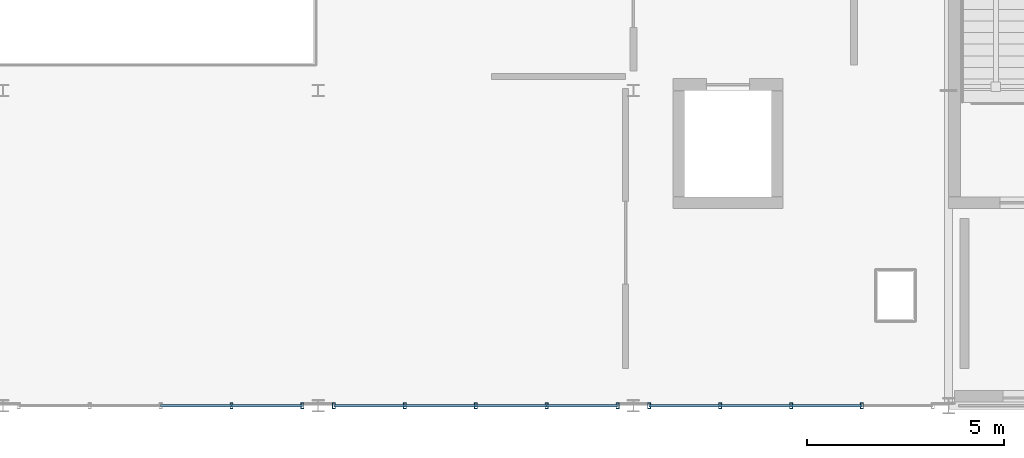
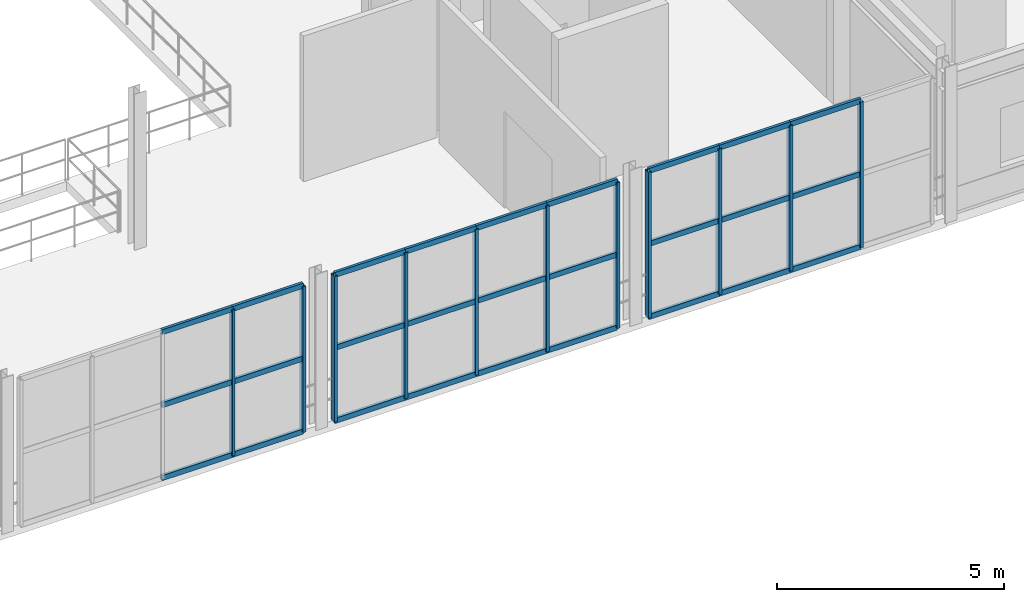
# One storey, part 15 of 67: 38 members, 3 elements without a shape of their own.
"""IFC4 building model written with IfcOpenShell, lengths in metres."""

from ifc_helpers import new_model, si_unit, direction, frame, origin, origin_2d, place, context, subcontext, project, spatial, hollow_rectangle, extrude, material, material_profile, profile_set, type_object, element, aggregate, save


model = new_model("IFC4")

# Units and contexts
model_context = context("Model", 3, precision=1e-05, world=origin(), true_north=direction((0.0, 1.0)))
body_context = subcontext(model_context, "Body", "Model", "MODEL_VIEW")
ifc_project = project(units=[si_unit("LENGTHUNIT", "METRE"), si_unit("AREAUNIT", "SQUARE_METRE"), si_unit("VOLUMEUNIT", "CUBIC_METRE"), si_unit("PLANEANGLEUNIT", "RADIAN"), si_unit("MASSUNIT", "GRAM", prefix="KILO")], contexts=[model_context])

# Site, building, storey
site_placement = place(None, origin())
site = spatial("IfcSite", under=ifc_project, at=site_placement, CompositionType="ELEMENT")
building_placement = place(site_placement, origin())
building = spatial("IfcBuilding", under=site, at=building_placement, Name="Sundkrona Museum", CompositionType="ELEMENT")
storey_placement = place(building_placement, frame((0.0, 0.0, 21.800048828125)))
storey = spatial("IfcBuildingStorey", under=building, at=storey_placement, Name="L04", CompositionType="ELEMENT", Elevation=21.800048828125)

# Curtain wall, members
ifc_material_1 = material(Name="Unitised Aluminium-Steel and Ceramic-Clad Curtain Walling", Category="steel")
curtain_wall_type = type_object("IfcCurtainWallType", Name="CW-AT-72x38", PredefinedType="NOTDEFINED", material=ifc_material_1)
curtain_wall_1_placement = place(storey_placement, origin())
curtain_wall_1 = element("IfcCurtainWall", 1, at=curtain_wall_1_placement, inside=storey, type_object=curtain_wall_type, Name="L04 Curtain Wall CW-L04-079", PredefinedType="NOTDEFINED")
ifc_material_2 = material(Name="Aluminium EN AW-6060 T66", Category="aluminium")
ifc_material_profile_1 = material_profile(ifc_material_2, hollow_rectangle(XDim=0.074951171875, YDim=0.14990234375, WallThickness=0.00634765625, at=origin_2d()), Name="RHS 150x75x6.3")
ifc_profile_set_1 = profile_set([ifc_material_profile_1], Name="Aluminium EN AW-6060 T66")
member_type_1 = type_object("IfcMemberType", Name="ML-150", PredefinedType="MULLION", material=ifc_profile_set_1)
member_1_placement = place(storey_placement, frame((101.800048828125, 0.0, -0.004150390625), z_axis=(0.0, 0.0, 1.0), x_axis=(1.0, 0.0, 0.0)))
member_1 = element("IfcMember", 2, at=member_1_placement, type_object=member_type_1, Name="CW-L04-079 Mullion 04", PredefinedType="MULLION", context=body_context, shape_type="SweptSolid", body=[
    extrude(hollow_rectangle(XDim=0.074951171875, YDim=0.14990234375, WallThickness=0.00634765625, at=origin_2d()), origin(), (0.0, 0.0, 1.0), 3.92822265625),
])
member_2_placement = place(storey_placement, frame((103.60009765625, 0.0, -0.004150390625), z_axis=(0.0, 0.0, 1.0), x_axis=(1.0, 0.0, 0.0)))
member_2 = element("IfcMember", 3, at=member_2_placement, type_object=member_type_1, Name="CW-L04-079 Mullion 05", PredefinedType="MULLION", context=body_context, shape_type="SweptSolid", body=[
    extrude(hollow_rectangle(XDim=0.074951171875, YDim=0.14990234375, WallThickness=0.00634765625, at=origin_2d()), origin(), (0.0, 0.0, 1.0), 3.92822265625),
])

curtain_wall_2_placement = place(storey_placement, origin())
curtain_wall_2 = element("IfcCurtainWall", 4, at=curtain_wall_2_placement, inside=storey, type_object=curtain_wall_type, Name="L04 Curtain Wall CW-L04-080", PredefinedType="NOTDEFINED")
member_3_placement = place(storey_placement, frame((104.39990234375, 0.0, -0.004150390625), z_axis=(0.0, 0.0, 1.0), x_axis=(1.0, 0.0, 0.0)))
member_3 = element("IfcMember", 5, at=member_3_placement, type_object=member_type_1, Name="CW-L04-080 Mullion 01", PredefinedType="MULLION", context=body_context, shape_type="SweptSolid", body=[
    extrude(hollow_rectangle(XDim=0.074951171875, YDim=0.14990234375, WallThickness=0.00634765625, at=origin_2d()), origin(), (0.0, 0.0, 1.0), 3.92822265625),
])
member_4_placement = place(storey_placement, frame((106.199951171875, 0.0, -0.004150390625), z_axis=(0.0, 0.0, 1.0), x_axis=(1.0, 0.0, 0.0)))
member_4 = element("IfcMember", 6, at=member_4_placement, type_object=member_type_1, Name="CW-L04-080 Mullion 02", PredefinedType="MULLION", context=body_context, shape_type="SweptSolid", body=[
    extrude(hollow_rectangle(XDim=0.074951171875, YDim=0.14990234375, WallThickness=0.00634765625, at=origin_2d()), origin(), (0.0, 0.0, 1.0), 3.92822265625),
])
member_5_placement = place(storey_placement, frame((108.0, 0.0, -0.004150390625), z_axis=(0.0, 0.0, 1.0), x_axis=(1.0, 0.0, 0.0)))
member_5 = element("IfcMember", 7, at=member_5_placement, type_object=member_type_1, Name="CW-L04-080 Mullion 03", PredefinedType="MULLION", context=body_context, shape_type="SweptSolid", body=[
    extrude(hollow_rectangle(XDim=0.074951171875, YDim=0.14990234375, WallThickness=0.00634765625, at=origin_2d()), origin(), (0.0, 0.0, 1.0), 3.92822265625),
])
member_6_placement = place(storey_placement, frame((109.800048828125, 0.0, -0.004150390625), z_axis=(0.0, 0.0, 1.0), x_axis=(1.0, 0.0, 0.0)))
member_6 = element("IfcMember", 8, at=member_6_placement, type_object=member_type_1, Name="CW-L04-080 Mullion 04", PredefinedType="MULLION", context=body_context, shape_type="SweptSolid", body=[
    extrude(hollow_rectangle(XDim=0.074951171875, YDim=0.14990234375, WallThickness=0.00634765625, at=origin_2d()), origin(), (0.0, 0.0, 1.0), 3.92822265625),
])
member_7_placement = place(storey_placement, frame((111.60009765625, 0.0, -0.004150390625), z_axis=(0.0, 0.0, 1.0), x_axis=(1.0, 0.0, 0.0)))
member_7 = element("IfcMember", 9, at=member_7_placement, type_object=member_type_1, Name="CW-L04-080 Mullion 05", PredefinedType="MULLION", context=body_context, shape_type="SweptSolid", body=[
    extrude(hollow_rectangle(XDim=0.074951171875, YDim=0.14990234375, WallThickness=0.00634765625, at=origin_2d()), origin(), (0.0, 0.0, 1.0), 3.92822265625),
])

curtain_wall_3_placement = place(storey_placement, origin())
curtain_wall_3 = element("IfcCurtainWall", 10, at=curtain_wall_3_placement, inside=storey, type_object=curtain_wall_type, Name="L04 Curtain Wall CW-L04-081", PredefinedType="NOTDEFINED")
member_8_placement = place(storey_placement, frame((112.39990234375, 0.0, -0.004150390625), z_axis=(0.0, 0.0, 1.0), x_axis=(1.0, 0.0, 0.0)))
member_8 = element("IfcMember", 11, at=member_8_placement, type_object=member_type_1, Name="CW-L04-081 Mullion 01", PredefinedType="MULLION", context=body_context, shape_type="SweptSolid", body=[
    extrude(hollow_rectangle(XDim=0.074951171875, YDim=0.14990234375, WallThickness=0.00634765625, at=origin_2d()), origin(), (0.0, 0.0, 1.0), 3.92822265625),
])
member_9_placement = place(storey_placement, frame((114.199951171875, 0.0, -0.004150390625), z_axis=(0.0, 0.0, 1.0), x_axis=(1.0, 0.0, 0.0)))
member_9 = element("IfcMember", 12, at=member_9_placement, type_object=member_type_1, Name="CW-L04-081 Mullion 02", PredefinedType="MULLION", context=body_context, shape_type="SweptSolid", body=[
    extrude(hollow_rectangle(XDim=0.074951171875, YDim=0.14990234375, WallThickness=0.00634765625, at=origin_2d()), origin(), (0.0, 0.0, 1.0), 3.92822265625),
])
member_10_placement = place(storey_placement, frame((116.0, 0.0, -0.004150390625), z_axis=(0.0, 0.0, 1.0), x_axis=(1.0, 0.0, 0.0)))
member_10 = element("IfcMember", 13, at=member_10_placement, type_object=member_type_1, Name="CW-L04-081 Mullion 03", PredefinedType="MULLION", context=body_context, shape_type="SweptSolid", body=[
    extrude(hollow_rectangle(XDim=0.074951171875, YDim=0.14990234375, WallThickness=0.00634765625, at=origin_2d()), origin(), (0.0, 0.0, 1.0), 3.92822265625),
])
member_11_placement = place(storey_placement, frame((117.800048828125, 0.0, -0.004150390625), z_axis=(0.0, 0.0, 1.0), x_axis=(1.0, 0.0, 0.0)))
member_11 = element("IfcMember", 14, at=member_11_placement, type_object=member_type_1, Name="CW-L04-081 Mullion 04", PredefinedType="MULLION", context=body_context, shape_type="SweptSolid", body=[
    extrude(hollow_rectangle(XDim=0.074951171875, YDim=0.14990234375, WallThickness=0.00634765625, at=origin_2d()), origin(), (0.0, 0.0, 1.0), 3.92822265625),
])

# Member
ifc_material_profile_2 = material_profile(ifc_material_2, hollow_rectangle(XDim=0.070068359375, YDim=0.139892578125, WallThickness=0.0048828125, at=origin_2d()), Name="RHS 140x70x5.0")
ifc_profile_set_2 = profile_set([ifc_material_profile_2], Name="Aluminium EN AW-6060 T66")
member_type_2 = type_object("IfcMemberType", Name="TR-140", PredefinedType="USERDEFINED", material=ifc_profile_set_2)
member_12_placement = place(storey_placement, frame((100.0, 0.0, -0.004150390625), z_axis=(1.0, 0.0, 0.0), x_axis=(0.0, 1.0, 0.0)))
member_12 = element("IfcMember", 15, at=member_12_placement, type_object=member_type_2, Name="CW-L04-079 Transom 07", ObjectType="TRANSOM", PredefinedType="USERDEFINED", context=body_context, shape_type="SweptSolid", body=[
    extrude(hollow_rectangle(XDim=0.070068359375, YDim=0.139892578125, WallThickness=0.0048828125, at=origin_2d()), origin(), (0.0, 0.0, 1.0), 1.800048828125),
])

member_13_placement = place(storey_placement, frame((100.0, 0.0, 1.9599609375), z_axis=(1.0, 0.0, 0.0), x_axis=(0.0, 1.0, 0.0)))
member_13 = element("IfcMember", 16, at=member_13_placement, type_object=member_type_2, Name="CW-L04-079 Transom 08", ObjectType="TRANSOM", PredefinedType="USERDEFINED", context=body_context, shape_type="SweptSolid", body=[
    extrude(hollow_rectangle(XDim=0.070068359375, YDim=0.139892578125, WallThickness=0.0048828125, at=origin_2d()), origin(), (0.0, 0.0, 1.0), 1.800048828125),
])

member_14_placement = place(storey_placement, frame((100.0, 0.0, 3.924072265625), z_axis=(1.0, 0.0, 0.0), x_axis=(0.0, 1.0, 0.0)))
member_14 = element("IfcMember", 17, at=member_14_placement, type_object=member_type_2, Name="CW-L04-079 Transom 09", ObjectType="TRANSOM", PredefinedType="USERDEFINED", context=body_context, shape_type="SweptSolid", body=[
    extrude(hollow_rectangle(XDim=0.070068359375, YDim=0.139892578125, WallThickness=0.0048828125, at=origin_2d()), origin(), (0.0, 0.0, 1.0), 1.800048828125),
])

member_15_placement = place(storey_placement, frame((101.800048828125, 0.0, -0.004150390625), z_axis=(1.0, 0.0, 0.0), x_axis=(0.0, 1.0, 0.0)))
member_15 = element("IfcMember", 18, at=member_15_placement, type_object=member_type_2, Name="CW-L04-079 Transom 10", ObjectType="TRANSOM", PredefinedType="USERDEFINED", context=body_context, shape_type="SweptSolid", body=[
    extrude(hollow_rectangle(XDim=0.070068359375, YDim=0.139892578125, WallThickness=0.0048828125, at=origin_2d()), origin(), (0.0, 0.0, 1.0), 1.800048828125),
])

member_16_placement = place(storey_placement, frame((101.800048828125, 0.0, 1.9599609375), z_axis=(1.0, 0.0, 0.0), x_axis=(0.0, 1.0, 0.0)))
member_16 = element("IfcMember", 19, at=member_16_placement, type_object=member_type_2, Name="CW-L04-079 Transom 11", ObjectType="TRANSOM", PredefinedType="USERDEFINED", context=body_context, shape_type="SweptSolid", body=[
    extrude(hollow_rectangle(XDim=0.070068359375, YDim=0.139892578125, WallThickness=0.0048828125, at=origin_2d()), origin(), (0.0, 0.0, 1.0), 1.800048828125),
])

member_17_placement = place(storey_placement, frame((101.800048828125, 0.0, 3.924072265625), z_axis=(1.0, 0.0, 0.0), x_axis=(0.0, 1.0, 0.0)))
member_17 = element("IfcMember", 20, at=member_17_placement, type_object=member_type_2, Name="CW-L04-079 Transom 12", ObjectType="TRANSOM", PredefinedType="USERDEFINED", context=body_context, shape_type="SweptSolid", body=[
    extrude(hollow_rectangle(XDim=0.070068359375, YDim=0.139892578125, WallThickness=0.0048828125, at=origin_2d()), origin(), (0.0, 0.0, 1.0), 1.800048828125),
])

aggregate(curtain_wall_1, [member_1, member_2, member_12, member_13, member_14, member_15, member_16, member_17])

member_18_placement = place(storey_placement, frame((104.39990234375, 0.0, -0.004150390625), z_axis=(1.0, 0.0, 0.0), x_axis=(0.0, 1.0, 0.0)))
member_18 = element("IfcMember", 21, at=member_18_placement, type_object=member_type_2, Name="CW-L04-080 Transom 01", ObjectType="TRANSOM", PredefinedType="USERDEFINED", context=body_context, shape_type="SweptSolid", body=[
    extrude(hollow_rectangle(XDim=0.070068359375, YDim=0.139892578125, WallThickness=0.0048828125, at=origin_2d()), origin(), (0.0, 0.0, 1.0), 1.800048828125),
])

member_19_placement = place(storey_placement, frame((104.39990234375, 0.0, 1.9599609375), z_axis=(1.0, 0.0, 0.0), x_axis=(0.0, 1.0, 0.0)))
member_19 = element("IfcMember", 22, at=member_19_placement, type_object=member_type_2, Name="CW-L04-080 Transom 02", ObjectType="TRANSOM", PredefinedType="USERDEFINED", context=body_context, shape_type="SweptSolid", body=[
    extrude(hollow_rectangle(XDim=0.070068359375, YDim=0.139892578125, WallThickness=0.0048828125, at=origin_2d()), origin(), (0.0, 0.0, 1.0), 1.800048828125),
])

member_20_placement = place(storey_placement, frame((104.39990234375, 0.0, 3.924072265625), z_axis=(1.0, 0.0, 0.0), x_axis=(0.0, 1.0, 0.0)))
member_20 = element("IfcMember", 23, at=member_20_placement, type_object=member_type_2, Name="CW-L04-080 Transom 03", ObjectType="TRANSOM", PredefinedType="USERDEFINED", context=body_context, shape_type="SweptSolid", body=[
    extrude(hollow_rectangle(XDim=0.070068359375, YDim=0.139892578125, WallThickness=0.0048828125, at=origin_2d()), origin(), (0.0, 0.0, 1.0), 1.800048828125),
])

member_21_placement = place(storey_placement, frame((106.199951171875, 0.0, -0.004150390625), z_axis=(1.0, 0.0, 0.0), x_axis=(0.0, 1.0, 0.0)))
member_21 = element("IfcMember", 24, at=member_21_placement, type_object=member_type_2, Name="CW-L04-080 Transom 04", ObjectType="TRANSOM", PredefinedType="USERDEFINED", context=body_context, shape_type="SweptSolid", body=[
    extrude(hollow_rectangle(XDim=0.070068359375, YDim=0.139892578125, WallThickness=0.0048828125, at=origin_2d()), origin(), (0.0, 0.0, 1.0), 1.800048828125),
])

member_22_placement = place(storey_placement, frame((106.199951171875, 0.0, 1.9599609375), z_axis=(1.0, 0.0, 0.0), x_axis=(0.0, 1.0, 0.0)))
member_22 = element("IfcMember", 25, at=member_22_placement, type_object=member_type_2, Name="CW-L04-080 Transom 05", ObjectType="TRANSOM", PredefinedType="USERDEFINED", context=body_context, shape_type="SweptSolid", body=[
    extrude(hollow_rectangle(XDim=0.070068359375, YDim=0.139892578125, WallThickness=0.0048828125, at=origin_2d()), origin(), (0.0, 0.0, 1.0), 1.800048828125),
])

member_23_placement = place(storey_placement, frame((106.199951171875, 0.0, 3.924072265625), z_axis=(1.0, 0.0, 0.0), x_axis=(0.0, 1.0, 0.0)))
member_23 = element("IfcMember", 26, at=member_23_placement, type_object=member_type_2, Name="CW-L04-080 Transom 06", ObjectType="TRANSOM", PredefinedType="USERDEFINED", context=body_context, shape_type="SweptSolid", body=[
    extrude(hollow_rectangle(XDim=0.070068359375, YDim=0.139892578125, WallThickness=0.0048828125, at=origin_2d()), origin(), (0.0, 0.0, 1.0), 1.800048828125),
])

member_24_placement = place(storey_placement, frame((108.0, 0.0, -0.004150390625), z_axis=(1.0, 0.0, 0.0), x_axis=(0.0, 1.0, 0.0)))
member_24 = element("IfcMember", 27, at=member_24_placement, type_object=member_type_2, Name="CW-L04-080 Transom 07", ObjectType="TRANSOM", PredefinedType="USERDEFINED", context=body_context, shape_type="SweptSolid", body=[
    extrude(hollow_rectangle(XDim=0.070068359375, YDim=0.139892578125, WallThickness=0.0048828125, at=origin_2d()), origin(), (0.0, 0.0, 1.0), 1.800048828125),
])

member_25_placement = place(storey_placement, frame((108.0, 0.0, 1.9599609375), z_axis=(1.0, 0.0, 0.0), x_axis=(0.0, 1.0, 0.0)))
member_25 = element("IfcMember", 28, at=member_25_placement, type_object=member_type_2, Name="CW-L04-080 Transom 08", ObjectType="TRANSOM", PredefinedType="USERDEFINED", context=body_context, shape_type="SweptSolid", body=[
    extrude(hollow_rectangle(XDim=0.070068359375, YDim=0.139892578125, WallThickness=0.0048828125, at=origin_2d()), origin(), (0.0, 0.0, 1.0), 1.800048828125),
])

member_26_placement = place(storey_placement, frame((108.0, 0.0, 3.924072265625), z_axis=(1.0, 0.0, 0.0), x_axis=(0.0, 1.0, 0.0)))
member_26 = element("IfcMember", 29, at=member_26_placement, type_object=member_type_2, Name="CW-L04-080 Transom 09", ObjectType="TRANSOM", PredefinedType="USERDEFINED", context=body_context, shape_type="SweptSolid", body=[
    extrude(hollow_rectangle(XDim=0.070068359375, YDim=0.139892578125, WallThickness=0.0048828125, at=origin_2d()), origin(), (0.0, 0.0, 1.0), 1.800048828125),
])

member_27_placement = place(storey_placement, frame((109.800048828125, 0.0, -0.004150390625), z_axis=(1.0, 0.0, 0.0), x_axis=(0.0, 1.0, 0.0)))
member_27 = element("IfcMember", 30, at=member_27_placement, type_object=member_type_2, Name="CW-L04-080 Transom 10", ObjectType="TRANSOM", PredefinedType="USERDEFINED", context=body_context, shape_type="SweptSolid", body=[
    extrude(hollow_rectangle(XDim=0.070068359375, YDim=0.139892578125, WallThickness=0.0048828125, at=origin_2d()), origin(), (0.0, 0.0, 1.0), 1.800048828125),
])

member_28_placement = place(storey_placement, frame((109.800048828125, 0.0, 1.9599609375), z_axis=(1.0, 0.0, 0.0), x_axis=(0.0, 1.0, 0.0)))
member_28 = element("IfcMember", 31, at=member_28_placement, type_object=member_type_2, Name="CW-L04-080 Transom 11", ObjectType="TRANSOM", PredefinedType="USERDEFINED", context=body_context, shape_type="SweptSolid", body=[
    extrude(hollow_rectangle(XDim=0.070068359375, YDim=0.139892578125, WallThickness=0.0048828125, at=origin_2d()), origin(), (0.0, 0.0, 1.0), 1.800048828125),
])

member_29_placement = place(storey_placement, frame((109.800048828125, 0.0, 3.924072265625), z_axis=(1.0, 0.0, 0.0), x_axis=(0.0, 1.0, 0.0)))
member_29 = element("IfcMember", 32, at=member_29_placement, type_object=member_type_2, Name="CW-L04-080 Transom 12", ObjectType="TRANSOM", PredefinedType="USERDEFINED", context=body_context, shape_type="SweptSolid", body=[
    extrude(hollow_rectangle(XDim=0.070068359375, YDim=0.139892578125, WallThickness=0.0048828125, at=origin_2d()), origin(), (0.0, 0.0, 1.0), 1.800048828125),
])

aggregate(curtain_wall_2, [member_3, member_4, member_5, member_6, member_7, member_18, member_19, member_20, member_21, member_22, member_23, member_24, member_25, member_26, member_27, member_28, member_29])

member_30_placement = place(storey_placement, frame((112.39990234375, 0.0, -0.004150390625), z_axis=(1.0, 0.0, 0.0), x_axis=(0.0, 1.0, 0.0)))
member_30 = element("IfcMember", 33, at=member_30_placement, type_object=member_type_2, Name="CW-L04-081 Transom 01", ObjectType="TRANSOM", PredefinedType="USERDEFINED", context=body_context, shape_type="SweptSolid", body=[
    extrude(hollow_rectangle(XDim=0.070068359375, YDim=0.139892578125, WallThickness=0.0048828125, at=origin_2d()), origin(), (0.0, 0.0, 1.0), 1.800048828125),
])

member_31_placement = place(storey_placement, frame((112.39990234375, 0.0, 1.9599609375), z_axis=(1.0, 0.0, 0.0), x_axis=(0.0, 1.0, 0.0)))
member_31 = element("IfcMember", 34, at=member_31_placement, type_object=member_type_2, Name="CW-L04-081 Transom 02", ObjectType="TRANSOM", PredefinedType="USERDEFINED", context=body_context, shape_type="SweptSolid", body=[
    extrude(hollow_rectangle(XDim=0.070068359375, YDim=0.139892578125, WallThickness=0.0048828125, at=origin_2d()), origin(), (0.0, 0.0, 1.0), 1.800048828125),
])

member_32_placement = place(storey_placement, frame((112.39990234375, 0.0, 3.924072265625), z_axis=(1.0, 0.0, 0.0), x_axis=(0.0, 1.0, 0.0)))
member_32 = element("IfcMember", 35, at=member_32_placement, type_object=member_type_2, Name="CW-L04-081 Transom 03", ObjectType="TRANSOM", PredefinedType="USERDEFINED", context=body_context, shape_type="SweptSolid", body=[
    extrude(hollow_rectangle(XDim=0.070068359375, YDim=0.139892578125, WallThickness=0.0048828125, at=origin_2d()), origin(), (0.0, 0.0, 1.0), 1.800048828125),
])

member_33_placement = place(storey_placement, frame((114.199951171875, 0.0, -0.004150390625), z_axis=(1.0, 0.0, 0.0), x_axis=(0.0, 1.0, 0.0)))
member_33 = element("IfcMember", 36, at=member_33_placement, type_object=member_type_2, Name="CW-L04-081 Transom 04", ObjectType="TRANSOM", PredefinedType="USERDEFINED", context=body_context, shape_type="SweptSolid", body=[
    extrude(hollow_rectangle(XDim=0.070068359375, YDim=0.139892578125, WallThickness=0.0048828125, at=origin_2d()), origin(), (0.0, 0.0, 1.0), 1.800048828125),
])

member_34_placement = place(storey_placement, frame((114.199951171875, 0.0, 1.9599609375), z_axis=(1.0, 0.0, 0.0), x_axis=(0.0, 1.0, 0.0)))
member_34 = element("IfcMember", 37, at=member_34_placement, type_object=member_type_2, Name="CW-L04-081 Transom 05", ObjectType="TRANSOM", PredefinedType="USERDEFINED", context=body_context, shape_type="SweptSolid", body=[
    extrude(hollow_rectangle(XDim=0.070068359375, YDim=0.139892578125, WallThickness=0.0048828125, at=origin_2d()), origin(), (0.0, 0.0, 1.0), 1.800048828125),
])

member_35_placement = place(storey_placement, frame((114.199951171875, 0.0, 3.924072265625), z_axis=(1.0, 0.0, 0.0), x_axis=(0.0, 1.0, 0.0)))
member_35 = element("IfcMember", 38, at=member_35_placement, type_object=member_type_2, Name="CW-L04-081 Transom 06", ObjectType="TRANSOM", PredefinedType="USERDEFINED", context=body_context, shape_type="SweptSolid", body=[
    extrude(hollow_rectangle(XDim=0.070068359375, YDim=0.139892578125, WallThickness=0.0048828125, at=origin_2d()), origin(), (0.0, 0.0, 1.0), 1.800048828125),
])

member_36_placement = place(storey_placement, frame((116.0, 0.0, -0.004150390625), z_axis=(1.0, 0.0, 0.0), x_axis=(0.0, 1.0, 0.0)))
member_36 = element("IfcMember", 39, at=member_36_placement, type_object=member_type_2, Name="CW-L04-081 Transom 07", ObjectType="TRANSOM", PredefinedType="USERDEFINED", context=body_context, shape_type="SweptSolid", body=[
    extrude(hollow_rectangle(XDim=0.070068359375, YDim=0.139892578125, WallThickness=0.0048828125, at=origin_2d()), origin(), (0.0, 0.0, 1.0), 1.800048828125),
])

member_37_placement = place(storey_placement, frame((116.0, 0.0, 1.9599609375), z_axis=(1.0, 0.0, 0.0), x_axis=(0.0, 1.0, 0.0)))
member_37 = element("IfcMember", 40, at=member_37_placement, type_object=member_type_2, Name="CW-L04-081 Transom 08", ObjectType="TRANSOM", PredefinedType="USERDEFINED", context=body_context, shape_type="SweptSolid", body=[
    extrude(hollow_rectangle(XDim=0.070068359375, YDim=0.139892578125, WallThickness=0.0048828125, at=origin_2d()), origin(), (0.0, 0.0, 1.0), 1.800048828125),
])

member_38_placement = place(storey_placement, frame((116.0, 0.0, 3.924072265625), z_axis=(1.0, 0.0, 0.0), x_axis=(0.0, 1.0, 0.0)))
member_38 = element("IfcMember", 41, at=member_38_placement, type_object=member_type_2, Name="CW-L04-081 Transom 09", ObjectType="TRANSOM", PredefinedType="USERDEFINED", context=body_context, shape_type="SweptSolid", body=[
    extrude(hollow_rectangle(XDim=0.070068359375, YDim=0.139892578125, WallThickness=0.0048828125, at=origin_2d()), origin(), (0.0, 0.0, 1.0), 1.800048828125),
])

aggregate(curtain_wall_3, [member_8, member_9, member_10, member_11, member_30, member_31, member_32, member_33, member_34, member_35, member_36, member_37, member_38])

save(model, "model.ifc")
